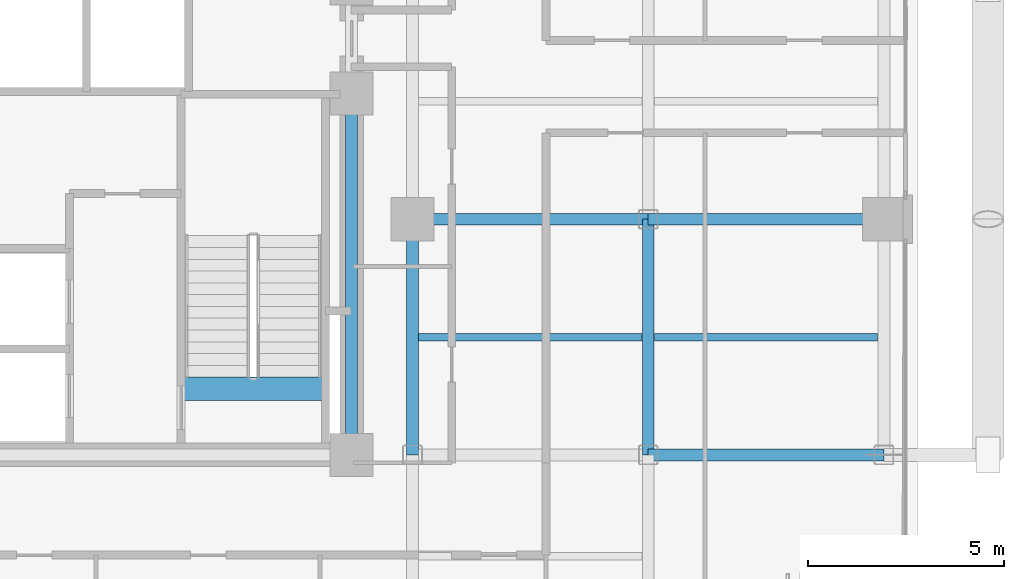
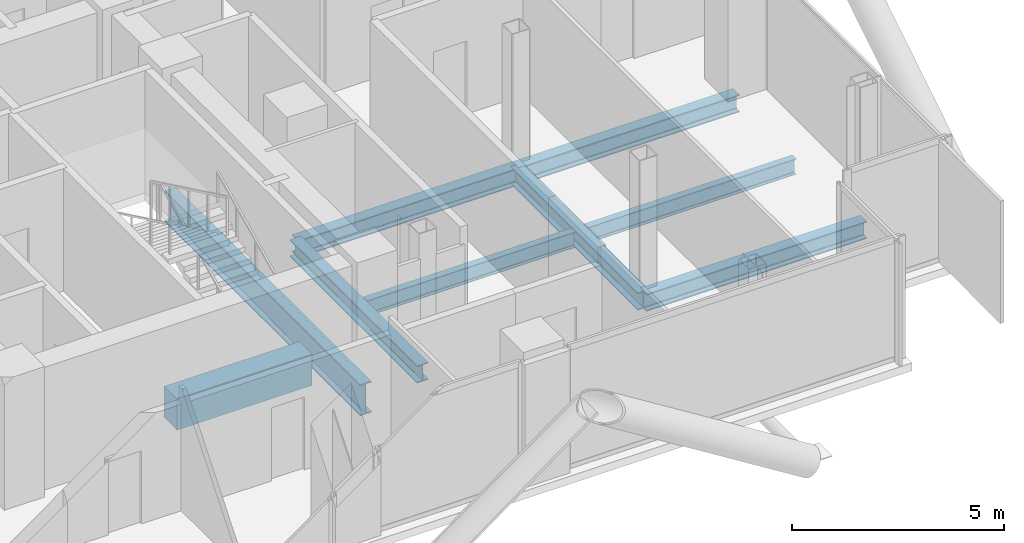
# One storey, part 10 of 24: 9 beams.
"""IFC4 building model written with IfcOpenShell, lengths in metres."""

import ifcopenshell
import ifcopenshell.guid

model = None  # the IFC model being written
_history = None  # IfcOwnerHistory: only IFC2X3 demands one
_inside = {}  # id of a spatial element -> (the spatial element, [elements in it])
_under = {}  # id of a project, library or spatial element -> (it, [spatial elements below it])
_declared = {}  # id of a project -> (the project, [libraries it declares])
_typed = {}  # id of a type object -> (the type object, [elements of that type])
_made_of = {}  # id of a material, layer set ... -> (it, [elements and type objects made of it])


def new_model(schema):
    """Start an empty IFC model of exactly this schema.

    Asked for "IFC4X3", IfcOpenShell would pick the latest addendum, in which some entities
    have other attributes; the version numbers below select the first issue.
    IFC2X3 requires an IfcOwnerHistory on every rooted entity: one is made here for all.
    """
    global model, _history
    if schema == "IFC4X3":
        model = ifcopenshell.file(schema_version=(4, 3, 0, 0))
    else:
        model = ifcopenshell.file(schema=schema)
    _inside.clear()
    _under.clear()
    _declared.clear()
    _typed.clear()
    _made_of.clear()
    _history = None
    if model.schema == "IFC2X3":
        org = make("IfcOrganization", Name="unknown")
        user = make(
            "IfcPersonAndOrganization",
            ThePerson=make("IfcPerson", FamilyName="unknown"),
            TheOrganization=org,
        )
        app = make(
            "IfcApplication",
            ApplicationDeveloper=org,
            Version="unknown",
            ApplicationFullName="unknown",
            ApplicationIdentifier="unknown",
        )
        _history = make(
            "IfcOwnerHistory",
            OwningUser=user,
            OwningApplication=app,
            ChangeAction="ADDED",
            CreationDate=0,
        )
    return model


def make(cls, **values):
    """One entity of the class cls with the attributes given. An attribute that is None is left unset."""
    return model.create_entity(
        cls, **{name: value for name, value in values.items() if value is not None}
    )


def rooted(cls, **values):
    """An entity with a GlobalId (a new one), such as an element, a storey or a relation."""
    return make(cls, GlobalId=ifcopenshell.guid.new(), OwnerHistory=_history, **values)


def si_unit(unit_type, name, prefix=None):
    """IfcSIUnit, for example si_unit("LENGTHUNIT", "METRE", prefix="MILLI")."""
    return make("IfcSIUnit", UnitType=unit_type, Prefix=prefix, Name=name)


def assignment(units):
    """IfcUnitAssignment: the units of a project."""
    return None if units is None else make("IfcUnitAssignment", Units=units)


def point(xyz):
    """IfcCartesianPoint."""
    return None if xyz is None else make("IfcCartesianPoint", Coordinates=xyz)


def direction(xyz):
    """IfcDirection."""
    return None if xyz is None else make("IfcDirection", DirectionRatios=xyz)


def frame(location, z_axis=None, x_axis=None):
    """IfcAxis2Placement3D, a coordinate frame: its origin and axes. An axis left out is left unset."""
    return make(
        "IfcAxis2Placement3D",
        Location=point(location),
        Axis=direction(z_axis),
        RefDirection=direction(x_axis),
    )


def frame_2d(location, x_axis=None):
    """IfcAxis2Placement2D, a coordinate frame in the plane: its origin and x axis."""
    return make(
        "IfcAxis2Placement2D", Location=point(location), RefDirection=direction(x_axis)
    )


def origin():
    """The frame at (0, 0, 0) with its axes left unset."""
    return frame((0.0, 0.0, 0.0))


def origin_2d():
    """The frame at (0, 0) in the plane with its x axis left unset."""
    return frame_2d((0.0, 0.0))


def place(relative_to, where):
    """IfcLocalPlacement: puts the frame where relative to a parent placement (None: the world)."""
    return make(
        "IfcLocalPlacement", PlacementRelTo=relative_to, RelativePlacement=where
    )


def context(
    kind, dimensions, precision=None, world=None, true_north=None, identifier=None
):
    """IfcGeometricRepresentationContext, for example the 3D "Model" context."""
    return make(
        "IfcGeometricRepresentationContext",
        ContextIdentifier=identifier,
        ContextType=kind,
        CoordinateSpaceDimension=dimensions,
        Precision=precision,
        WorldCoordinateSystem=world,
        TrueNorth=true_north,
    )


def subcontext(parent, identifier, kind, view, scale=None):
    """IfcGeometricRepresentationSubContext, for example "Body" below "Model"."""
    return make(
        "IfcGeometricRepresentationSubContext",
        ContextIdentifier=identifier,
        ContextType=kind,
        ParentContext=parent,
        TargetScale=scale,
        TargetView=view,
    )


def project(units=None, contexts=None):
    """IfcProject with its units and contexts."""
    return rooted(
        "IfcProject",
        Name="project",
        RepresentationContexts=contexts,
        UnitsInContext=assignment(units),
    )


def spatial(cls, under=None, at=None, **own):
    """A site, building, storey or space (cls), placed at a placement, below another one or the project."""
    s = rooted(cls, ObjectPlacement=at, **own)
    if under is not None:
        _under.setdefault(under.id(), (under, []))[1].append(s)
    return s


def profile(cls, at=None, kind="AREA", **sizes):
    """A parametric profile (cls). Its sizes go by their IFC names, for example OverallWidth=200.0."""
    return make(cls, ProfileType=kind, Position=at, **sizes)


def rectangle(**sizes):
    """IfcRectangleProfileDef."""
    return profile("IfcRectangleProfileDef", **sizes)


def i_section(**sizes):
    """IfcIShapeProfileDef."""
    return profile("IfcIShapeProfileDef", **sizes)


def extrude(swept, where, along, depth):
    """IfcExtrudedAreaSolid: the profile swept, set in the frame where, extruded along a direction by depth."""
    return make(
        "IfcExtrudedAreaSolid",
        SweptArea=swept,
        Position=where,
        ExtrudedDirection=direction(along),
        Depth=depth,
    )


def shape(context_of_items, identifier, shape_type, items):
    """IfcShapeRepresentation: the items that make up one representation, for example the "Body"."""
    return make(
        "IfcShapeRepresentation",
        ContextOfItems=context_of_items,
        RepresentationIdentifier=identifier,
        RepresentationType=shape_type,
        Items=items,
    )


def material(Name=None, Category=None):
    """IfcMaterial."""
    return make("IfcMaterial", Name=Name, Category=Category)


def material_profile(
    of_material, cross_section, Name=None, Category=None, Priority=None
):
    """IfcMaterialProfile: a cross section and its material."""
    return make(
        "IfcMaterialProfile",
        Name=Name,
        Material=of_material,
        Profile=cross_section,
        Priority=Priority,
        Category=Category,
    )


def profile_set(profiles, Name=None, composite=None):
    """IfcMaterialProfileSet."""
    return make(
        "IfcMaterialProfileSet",
        Name=Name,
        MaterialProfiles=profiles,
        CompositeProfile=composite,
    )


def made_of(thing, what):
    """Note that an element or type object is made of a material, layer set ...; save() writes the relation."""
    if what is not None:
        _made_of.setdefault(what.id(), (what, []))[1].append(thing)
    return thing


def type_object(cls, material=None, **own):
    """A type object (cls), such as IfcWallType, which elements share."""
    return made_of(rooted(cls, **own), material)


def element(
    cls,
    number,
    at=None,
    inside=None,
    cuts=None,
    type_object=None,
    material=None,
    context=None,
    identifier="Body",
    shape_type=None,
    held_by="IfcProductDefinitionShape",
    body=None,
    shapes=None,
    **own,
):
    """One element of the class cls, such as IfcWall. Its Tag is "e" and its number.

    at: its placement. inside: the storey or other place that contains it. cuts: it is an
    opening in that element (IfcRelVoidsElement). A single representation is given by context,
    identifier, shape_type and body (its items); several are given by shapes. held_by: the class
    of the entity that holds the representations. save() writes the other relations.
    """
    e = rooted(cls, Tag="e%d" % number, ObjectPlacement=at, **own)
    if body is not None:
        shapes = [shape(context, identifier, shape_type, body)]
    if shapes is not None:
        e.Representation = make(held_by, Representations=shapes)
    if inside is not None:
        _inside.setdefault(inside.id(), (inside, []))[1].append(e)
    if cuts is not None:
        rooted(
            "IfcRelVoidsElement", RelatingBuildingElement=cuts, RelatedOpeningElement=e
        )
    if type_object is not None:
        _typed.setdefault(type_object.id(), (type_object, []))[1].append(e)
    return made_of(e, material)


def aggregate(whole, parts):
    """IfcRelAggregates: a whole, such as a stair, and the parts it consists of."""
    return rooted("IfcRelAggregates", RelatingObject=whole, RelatedObjects=parts)


def save(model, path):
    """Write the relations noted so far, then the file.

    IfcRelAggregates (storeys below a building ...), IfcRelContainedInSpatialStructure (elements
    in a storey), IfcRelDefinesByType, IfcRelAssociatesMaterial and IfcRelDeclares: one each for
    every whole, place, type object, material and project.
    """
    for whole, parts in _under.values():
        aggregate(whole, parts)
    for where, things in _inside.values():
        rooted(
            "IfcRelContainedInSpatialStructure",
            RelatedElements=things,
            RelatingStructure=where,
        )
    for kind, things in _typed.values():
        rooted("IfcRelDefinesByType", RelatedObjects=things, RelatingType=kind)
    for what, things in _made_of.values():
        rooted("IfcRelAssociatesMaterial", RelatedObjects=things, RelatingMaterial=what)
    for by, libraries in _declared.values():
        rooted("IfcRelDeclares", RelatingContext=by, RelatedDefinitions=libraries)
    model.write(path)


model = new_model("IFC4")

# Units and contexts
model_context = context("Model", 3, precision=1e-05, world=origin(), true_north=direction((0.0, 1.0)))
body_context = subcontext(model_context, "Body", "Model", "MODEL_VIEW")
ifc_project = project(units=[si_unit("LENGTHUNIT", "METRE"), si_unit("AREAUNIT", "SQUARE_METRE"), si_unit("VOLUMEUNIT", "CUBIC_METRE"), si_unit("PLANEANGLEUNIT", "RADIAN"), si_unit("MASSUNIT", "GRAM", prefix="KILO"), si_unit("THERMODYNAMICTEMPERATUREUNIT", "KELVIN"), si_unit("POWERUNIT", "WATT")], contexts=[model_context])

# Site, building, storey
site_placement = place(None, origin())
site = spatial("IfcSite", under=ifc_project, at=site_placement, CompositionType="ELEMENT")
building_placement = place(site_placement, origin())
building = spatial("IfcBuilding", under=site, at=building_placement, Name="Svarakhadi Broadcast Tower", CompositionType="ELEMENT")
storey_placement = place(building_placement, frame((0.0, 0.0, 141.89990234375)))
storey = spatial("IfcBuildingStorey", under=building, at=storey_placement, Name="L34", CompositionType="ELEMENT", Elevation=141.89990234375)

# Beams
ifc_material_1 = material(Name="Steel S355J2 (IS 2062 E350C)", Category="steel")
ifc_material_profile_1 = material_profile(ifc_material_1, i_section(OverallWidth=0.18994140625, OverallDepth=0.449951171875, WebThickness=0.009521484375, FlangeThickness=0.0146484375, FilletRadius=0.02099609375, at=origin_2d()), Name="NPB 450x190x78")
ifc_profile_set_1 = profile_set([ifc_material_profile_1], Name="Steel S355J2 (IS 2062 E350C)")
beam_type_1 = type_object("IfcBeamType", Name="Beam_NPB450", PredefinedType="BEAM", material=ifc_profile_set_1)
for number, where, z_axis, x_axis, name in (
    (1, (35.31005859375, 9.0, -0.449951171875), (1.0, 0.0, 0.0), (0.0, 1.0, 0.0), "L34 Secondary Composite Beam SB020"),
    (2, (41.31005859375, 9.0, -0.449951171875), (1.0, 0.0, 0.0), (0.0, 1.0, 0.0), "L34 Secondary Composite Beam SB022"),
):
    element("IfcBeam", number, at=place(storey_placement, frame(where, z_axis=z_axis, x_axis=x_axis)), inside=storey, type_object=beam_type_1, Name=name, PredefinedType="BEAM", context=body_context, shape_type="SweptSolid", body=[
        extrude(i_section(OverallWidth=0.18994140625, OverallDepth=0.449951171875, WebThickness=0.009521484375, FlangeThickness=0.0146484375, FilletRadius=0.02099609375, at=origin_2d()), origin(), (0.0, 0.0, 1.0), 5.679931640625),
    ])
ifc_material_2 = material(Name="Concrete C50/60 (IS 456 M60)", Category="concrete")
ifc_material_profile_2 = material_profile(ifc_material_2, rectangle(XDim=0.60009765625, YDim=0.89990234375, at=origin_2d()), Name="RC 600x900")
ifc_profile_set_2 = profile_set([ifc_material_profile_2], Name="Concrete C50/60 (IS 456 M60)")
beam_type_2 = type_object("IfcBeamType", Name="Coupling_RC600", PredefinedType="USERDEFINED", material=ifc_profile_set_2)
beam_1_placement = place(storey_placement, frame((29.260009765625, 7.679931640625, -0.449951171875), z_axis=(1.0, 0.0, 0.0), x_axis=(0.0, 1.0, 0.0)))
element("IfcBeam", 3, at=beam_1_placement, inside=storey, type_object=beam_type_2, Name="L34 Stair ST-02 Landing Throat Trimmer Beam CB-01", ObjectType="GIRDER", PredefinedType="USERDEFINED", context=body_context, shape_type="SweptSolid", body=[
    extrude(rectangle(XDim=0.60009765625, YDim=0.89990234375, at=origin_2d()), origin(), (0.0, 0.0, 1.0), 3.679931640625),
])
ifc_material_profile_3 = material_profile(ifc_material_1, i_section(OverallWidth=0.300048828125, OverallDepth=0.5, WebThickness=0.014404296875, FlangeThickness=0.028076171875, FilletRadius=0.027099609375, at=origin_2d()), Name="WPB 500x300x187")
ifc_profile_set_3 = profile_set([ifc_material_profile_3], Name="Steel S355J2 (IS 2062 E350C)")
beam_type_3 = type_object("IfcBeamType", Name="Girder_WPB500", PredefinedType="USERDEFINED", material=ifc_profile_set_3)
for number, where, z_axis, x_axis, name in (
    (4, (41.14990234375, 6.0, -0.474853515625), (1.0, 0.0, 0.0), (0.0, 1.0, 0.0), "L34 Primary E-W Girder G016"),
    (5, (35.14990234375, 12.0, -0.474853515625), (1.0, 0.0, 0.0), (0.0, 1.0, 0.0), "L34 Primary E-W Girder G021"),
    (6, (41.14990234375, 12.0, -0.474853515625), (1.0, 0.0, 0.0), (0.0, 1.0, 0.0), "L34 Primary E-W Girder G022"),
    (7, (35.14990234375, 6.0, -0.474853515625), (0.0, 1.0, 0.0), (-1.0, 0.0, 0.0), "L34 Primary N-S Girder G068"),
    (8, (41.14990234375, 6.0, -0.474853515625), (0.0, 1.0, 0.0), (-1.0, 0.0, 0.0), "L34 Primary N-S Girder G071"),
):
    element("IfcBeam", number, at=place(storey_placement, frame(where, z_axis=z_axis, x_axis=x_axis)), inside=storey, type_object=beam_type_3, Name=name, ObjectType="GIRDER", PredefinedType="USERDEFINED", context=body_context, shape_type="SweptSolid", body=[
        extrude(i_section(OverallWidth=0.300048828125, OverallDepth=0.5, WebThickness=0.014404296875, FlangeThickness=0.028076171875, FilletRadius=0.027099609375, at=origin_2d()), origin(), (0.0, 0.0, 1.0), 6.0),
    ])
ifc_material_3 = material(Name="Steel S460ML (IS 2062 E450BR)", Category="steel")
ifc_material_profile_4 = material_profile(ifc_material_3, i_section(OverallWidth=0.300048828125, OverallDepth=0.89990234375, WebThickness=0.0185546875, FlangeThickness=0.034912109375, FilletRadius=0.030029296875, at=origin_2d()), Name="WPB 900x300x291")
ifc_profile_set_4 = profile_set([ifc_material_profile_4], Name="Steel S460ML (IS 2062 E450BR)")
beam_type_4 = type_object("IfcBeamType", Name="Girder_WPB900", PredefinedType="USERDEFINED", material=ifc_profile_set_4)
beam_2_placement = place(storey_placement, frame((33.60009765625, 6.0, -0.6748046875), z_axis=(0.0, 1.0, 0.0), x_axis=(-1.0, 0.0, 0.0)))
element("IfcBeam", 9, at=beam_2_placement, inside=storey, type_object=beam_type_4, Name="L34 Primary N-S Girder G065", ObjectType="GIRDER", PredefinedType="USERDEFINED", context=body_context, shape_type="SweptSolid", body=[
    extrude(i_section(OverallWidth=0.300048828125, OverallDepth=0.89990234375, WebThickness=0.0185546875, FlangeThickness=0.034912109375, FilletRadius=0.030029296875, at=origin_2d()), origin(), (0.0, 0.0, 1.0), 9.199951171875),
])

save(model, "model.ifc")
